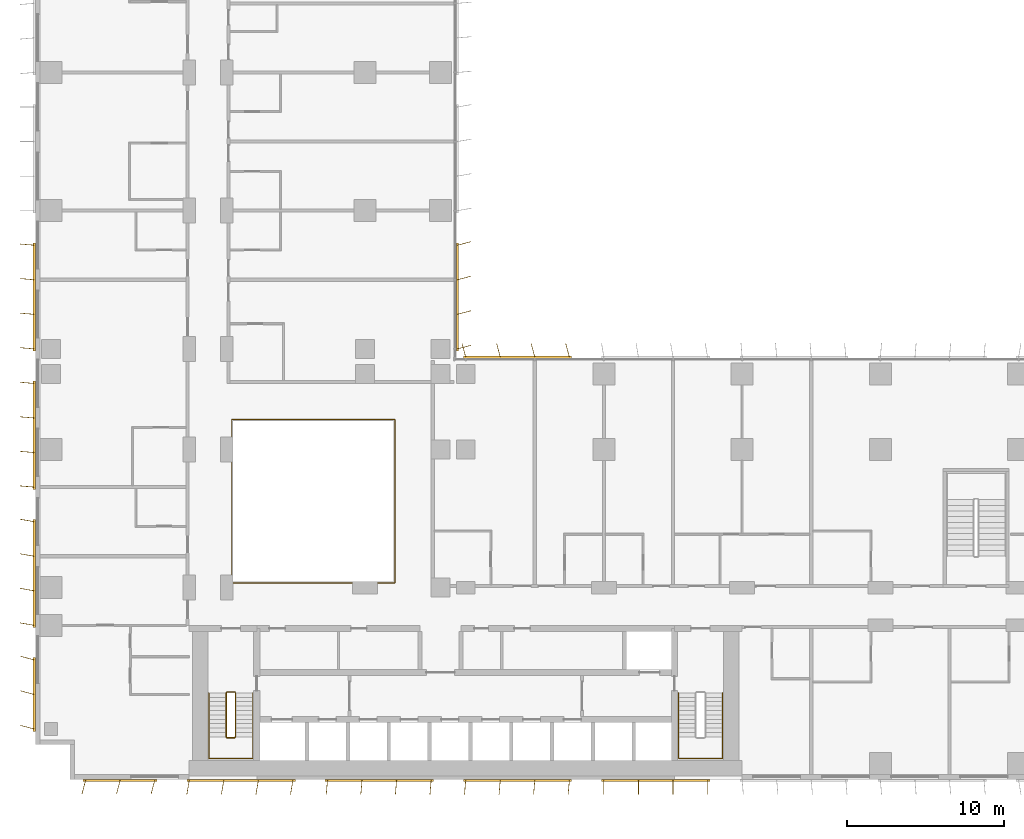
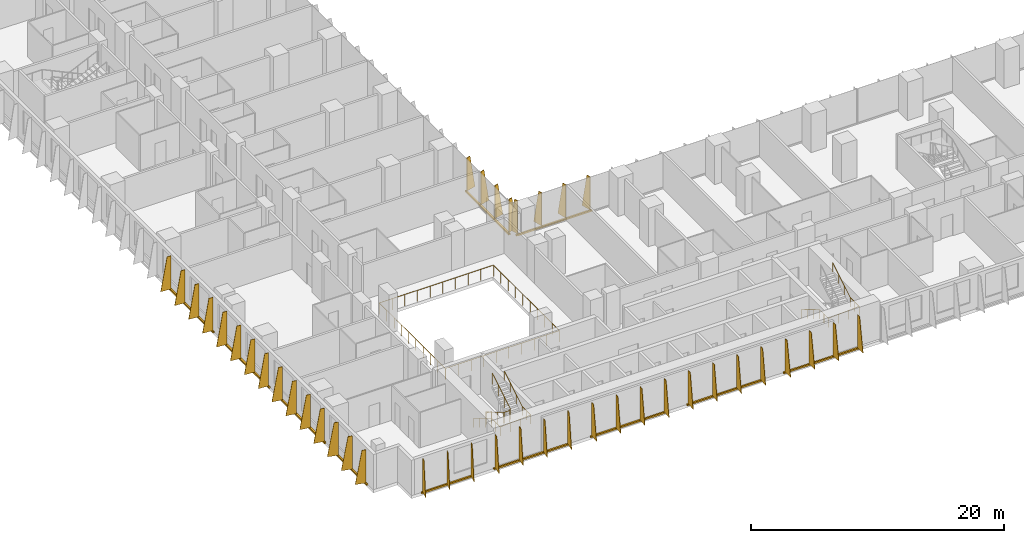
# One storey, part 21 of 24: 11 shading devices, 4 railings.
"""IFC4 building model written with IfcOpenShell, lengths in metres."""

from ifc_helpers import new_model, si_unit, direction, frame, origin, origin_2d, place, context, subcontext, project, spatial, polyline, rectangle, circle, outline, extrude, source, transform, mapped, material, layer, layer_set, type_object, element, save


model = new_model("IFC4")

# Units and contexts
model_context = context("Model", 3, precision=1e-05, world=origin(), true_north=direction((0.0, 1.0)))
body_context = subcontext(model_context, "Body", "Model", "MODEL_VIEW")
ifc_project = project(units=[si_unit("LENGTHUNIT", "METRE"), si_unit("AREAUNIT", "SQUARE_METRE"), si_unit("VOLUMEUNIT", "CUBIC_METRE"), si_unit("PLANEANGLEUNIT", "RADIAN"), si_unit("MASSUNIT", "GRAM", prefix="KILO")], contexts=[model_context])

# Site, building, storey
site_placement = place(None, origin())
site = spatial("IfcSite", under=ifc_project, at=site_placement, CompositionType="ELEMENT")
building_placement = place(site_placement, origin())
building = spatial("IfcBuilding", under=site, at=building_placement, Name="Kemantara Hotel Tower", CompositionType="ELEMENT")
storey_placement = place(building_placement, frame((0.0, 0.0, 56.199951171875)))
storey = spatial("IfcBuildingStorey", under=building, at=storey_placement, Name="L12", CompositionType="ELEMENT", Elevation=56.199951171875)

# Railings
ifc_material_1 = material(Name="Stainless steel and laminated glass balustrade", Category="steel")
railing_type_1 = type_object("IfcRailingType", Name="ATRIUM GUARD 1100", PredefinedType="GUARDRAIL", material=ifc_material_1)
railing_1_placement = place(storey_placement, frame((12.56005859375, 12.5, 0.0)))
element("IfcRailing", 1, at=railing_1_placement, inside=storey, type_object=railing_type_1, Name="ATRIUM GUARD L12", PredefinedType="GUARDRAIL", context=body_context, shape_type="SweptSolid", body=[
    extrude(circle(Radius=0.02490234375, at=origin_2d()), frame((0.0, 0.0, 1.0751953125), z_axis=(1.0, 0.0, 0.0), x_axis=(0.0, 1.0, 0.0)), (0.0, 0.0, 1.0), 10.33984375),
    extrude(circle(Radius=0.02490234375, at=origin_2d()), frame((10.33984375, 0.0, 1.0751953125), z_axis=(0.0, 1.0, 0.0), x_axis=(-1.0, 0.0, 0.0)), (0.0, 0.0, 1.0), 10.39990234375),
    extrude(circle(Radius=0.02490234375, at=origin_2d()), frame((10.33984375, 10.39990234375, 1.0751953125), z_axis=(-1.0, 0.0, 0.0), x_axis=(0.0, -1.0, 0.0)), (0.0, 0.0, 1.0), 10.39990234375),
    extrude(circle(Radius=0.02490234375, at=origin_2d()), frame((-0.06005859375, 10.39990234375, 1.0751953125), z_axis=(0.0, -1.0, 0.0), x_axis=(1.0, 0.0, 0.0)), (0.0, 0.0, 1.0), 10.39990234375),
    extrude(circle(Radius=0.02001953125, at=origin_2d()), origin(), (0.0, 0.0, 1.0), 1.050048828125),
    extrude(circle(Radius=0.02001953125, at=origin_2d()), frame((1.14892578125, 0.0, 0.0)), (0.0, 0.0, 1.0), 1.050048828125),
    extrude(circle(Radius=0.02001953125, at=origin_2d()), frame((2.2978515625, 0.0, 0.0)), (0.0, 0.0, 1.0), 1.050048828125),
    extrude(circle(Radius=0.02001953125, at=origin_2d()), frame((3.446533203125, 0.0, 0.0)), (0.0, 0.0, 1.0), 1.050048828125),
    extrude(circle(Radius=0.02001953125, at=origin_2d()), frame((4.595458984375, 0.0, 0.0)), (0.0, 0.0, 1.0), 1.050048828125),
    extrude(circle(Radius=0.02001953125, at=origin_2d()), frame((5.744384765625, 0.0, 0.0)), (0.0, 0.0, 1.0), 1.050048828125),
    extrude(circle(Radius=0.02001953125, at=origin_2d()), frame((6.893310546875, 0.0, 0.0)), (0.0, 0.0, 1.0), 1.050048828125),
    extrude(circle(Radius=0.02001953125, at=origin_2d()), frame((8.0419921875, 0.0, 0.0)), (0.0, 0.0, 1.0), 1.050048828125),
    extrude(circle(Radius=0.02001953125, at=origin_2d()), frame((9.19091796875, 0.0, 0.0)), (0.0, 0.0, 1.0), 1.050048828125),
    extrude(circle(Radius=0.02001953125, at=origin_2d()), frame((10.33984375, 0.0, 0.0)), (0.0, 0.0, 1.0), 1.050048828125),
    extrude(circle(Radius=0.02001953125, at=origin_2d()), frame((10.33984375, 1.155517578125, 0.0)), (0.0, 0.0, 1.0), 1.050048828125),
    extrude(circle(Radius=0.02001953125, at=origin_2d()), frame((10.33984375, 2.31103515625, 0.0)), (0.0, 0.0, 1.0), 1.050048828125),
    extrude(circle(Radius=0.02001953125, at=origin_2d()), frame((10.33984375, 3.466552734375, 0.0)), (0.0, 0.0, 1.0), 1.050048828125),
    extrude(circle(Radius=0.02001953125, at=origin_2d()), frame((10.33984375, 4.6220703125, 0.0)), (0.0, 0.0, 1.0), 1.050048828125),
    extrude(circle(Radius=0.02001953125, at=origin_2d()), frame((10.33984375, 5.77783203125, 0.0)), (0.0, 0.0, 1.0), 1.050048828125),
    extrude(circle(Radius=0.02001953125, at=origin_2d()), frame((10.33984375, 6.933349609375, 0.0)), (0.0, 0.0, 1.0), 1.050048828125),
    extrude(circle(Radius=0.02001953125, at=origin_2d()), frame((10.33984375, 8.0888671875, 0.0)), (0.0, 0.0, 1.0), 1.050048828125),
    extrude(circle(Radius=0.02001953125, at=origin_2d()), frame((10.33984375, 9.244384765625, 0.0)), (0.0, 0.0, 1.0), 1.050048828125),
    extrude(circle(Radius=0.02001953125, at=origin_2d()), frame((10.33984375, 10.39990234375, 0.0)), (0.0, 0.0, 1.0), 1.050048828125),
    extrude(circle(Radius=0.02001953125, at=origin_2d()), frame((9.184326171875, 10.39990234375, 0.0)), (0.0, 0.0, 1.0), 1.050048828125),
    extrude(circle(Radius=0.02001953125, at=origin_2d()), frame((8.02880859375, 10.39990234375, 0.0)), (0.0, 0.0, 1.0), 1.050048828125),
    extrude(circle(Radius=0.02001953125, at=origin_2d()), frame((6.873291015625, 10.39990234375, 0.0)), (0.0, 0.0, 1.0), 1.050048828125),
    extrude(circle(Radius=0.02001953125, at=origin_2d()), frame((5.7177734375, 10.39990234375, 0.0)), (0.0, 0.0, 1.0), 1.050048828125),
    extrude(circle(Radius=0.02001953125, at=origin_2d()), frame((4.56201171875, 10.39990234375, 0.0)), (0.0, 0.0, 1.0), 1.050048828125),
    extrude(circle(Radius=0.02001953125, at=origin_2d()), frame((3.406494140625, 10.39990234375, 0.0)), (0.0, 0.0, 1.0), 1.050048828125),
    extrude(circle(Radius=0.02001953125, at=origin_2d()), frame((2.2509765625, 10.39990234375, 0.0)), (0.0, 0.0, 1.0), 1.050048828125),
    extrude(circle(Radius=0.02001953125, at=origin_2d()), frame((1.095458984375, 10.39990234375, 0.0)), (0.0, 0.0, 1.0), 1.050048828125),
    extrude(circle(Radius=0.02001953125, at=origin_2d()), frame((-0.06005859375, 10.39990234375, 0.0)), (0.0, 0.0, 1.0), 1.050048828125),
    extrude(circle(Radius=0.02001953125, at=origin_2d()), frame((-0.06005859375, 9.244384765625, 0.0)), (0.0, 0.0, 1.0), 1.050048828125),
    extrude(circle(Radius=0.02001953125, at=origin_2d()), frame((-0.06005859375, 8.0888671875, 0.0)), (0.0, 0.0, 1.0), 1.050048828125),
    extrude(circle(Radius=0.02001953125, at=origin_2d()), frame((-0.06005859375, 6.933349609375, 0.0)), (0.0, 0.0, 1.0), 1.050048828125),
    extrude(circle(Radius=0.02001953125, at=origin_2d()), frame((-0.06005859375, 5.77783203125, 0.0)), (0.0, 0.0, 1.0), 1.050048828125),
    extrude(circle(Radius=0.02001953125, at=origin_2d()), frame((-0.06005859375, 4.6220703125, 0.0)), (0.0, 0.0, 1.0), 1.050048828125),
    extrude(circle(Radius=0.02001953125, at=origin_2d()), frame((-0.06005859375, 3.466552734375, 0.0)), (0.0, 0.0, 1.0), 1.050048828125),
    extrude(circle(Radius=0.02001953125, at=origin_2d()), frame((-0.06005859375, 2.31103515625, 0.0)), (0.0, 0.0, 1.0), 1.050048828125),
    extrude(circle(Radius=0.02001953125, at=origin_2d()), frame((-0.06005859375, 1.155517578125, 0.0)), (0.0, 0.0, 1.0), 1.050048828125),
    extrude(circle(Radius=0.02001953125, at=origin_2d()), frame((-0.06005859375, 0.0, 0.0)), (0.0, 0.0, 1.0), 1.050048828125),
])
ifc_material_2 = material(Name="Stainless steel balustrade", Category="steel")
railing_type_2 = type_object("IfcRailingType", Name="Stair guard 1100 mm", PredefinedType="GUARDRAIL", material=ifc_material_2)
railing_2_placement = place(storey_placement, frame((12.75, 5.5, 3.699951171875)))
element("IfcRailing", 2, at=railing_2_placement, inside=storey, type_object=railing_type_2, Name="L12 ST1 stair guard 1", PredefinedType="GUARDRAIL", context=body_context, shape_type="SweptSolid", body=[
    extrude(circle(Radius=0.02392578125, at=origin_2d()), frame((0.0, 0.0, 1.076171875), z_axis=(0.0, -0.857275202839, -0.514858452973), x_axis=(1.0, 0.0, 0.0)), (0.0, 0.0, 1.0), 3.26611328125),
    extrude(circle(Radius=0.02392578125, at=origin_2d()), frame((0.0, -2.800048828125, -0.60546875), z_axis=(-0.274243871929, -0.274243871929, -0.92172696468), x_axis=(0.707106781187, -0.707106781187, 0.0)), (0.0, 0.0, 1.0), 0.1826171875),
    extrude(circle(Radius=0.02392578125, at=origin_2d()), frame((-0.050048828125, -2.85009765625, -0.77392578125), z_axis=(-1.0, 0.0, 0.0), x_axis=(0.0, -1.0, 0.0)), (0.0, 0.0, 1.0), 0.5),
    extrude(circle(Radius=0.02392578125, at=origin_2d()), frame((-0.550048828125, -2.85009765625, -0.77392578125), z_axis=(-0.707106781187, 0.707106781187, 0.0), x_axis=(-0.707106781187, -0.707106781187, 0.0)), (0.0, 0.0, 1.0), 0.07080078125),
    extrude(circle(Radius=0.02392578125, at=origin_2d()), frame((-0.60009765625, -2.800048828125, -0.77392578125), z_axis=(0.0, 0.857242210791, -0.514913383045), x_axis=(-1.0, 0.0, 0.0)), (0.0, 0.0, 1.0), 3.266357421875),
    extrude(circle(Radius=0.02392578125, at=origin_2d()), frame((-0.60009765625, 0.0, -2.45556640625), z_axis=(0.274243871929, 0.274243871929, -0.92172696468), x_axis=(-0.707106781187, 0.707106781187, 0.0)), (0.0, 0.0, 1.0), 0.1826171875),
    extrude(circle(Radius=0.02392578125, at=origin_2d()), frame((-0.550048828125, 0.050048828125, -2.6240234375), z_axis=(1.0, 0.0, 0.0), x_axis=(0.0, 1.0, 0.0)), (0.0, 0.0, 1.0), 0.5),
    extrude(circle(Radius=0.02099609375, at=origin_2d()), origin(), (0.0, 0.0, 1.0), 1.052001953125),
    extrude(circle(Radius=0.02099609375, at=origin_2d()), frame((0.0, -0.933349609375, -0.560546875)), (0.0, 0.0, 1.0), 1.052001953125),
    extrude(circle(Radius=0.02099609375, at=origin_2d()), frame((0.0, -1.86669921875, -1.12109375)), (0.0, 0.0, 1.0), 1.052001953125),
    extrude(circle(Radius=0.02099609375, at=origin_2d()), frame((0.0, -2.800048828125, -1.681640625)), (0.0, 0.0, 1.0), 1.052001953125),
    extrude(circle(Radius=0.02099609375, at=origin_2d()), frame((-0.050048828125, -2.85009765625, -1.849853515625)), (0.0, 0.0, 1.0), 1.052001953125),
    extrude(circle(Radius=0.02099609375, at=origin_2d()), frame((-0.550048828125, -2.85009765625, -1.849853515625)), (0.0, 0.0, 1.0), 1.052001953125),
    extrude(circle(Radius=0.02099609375, at=origin_2d()), frame((-0.60009765625, -2.800048828125, -1.849853515625)), (0.0, 0.0, 1.0), 1.052001953125),
    extrude(circle(Radius=0.02099609375, at=origin_2d()), frame((-0.60009765625, -1.86669921875, -2.410400390625)), (0.0, 0.0, 1.0), 1.052001953125),
    extrude(circle(Radius=0.02099609375, at=origin_2d()), frame((-0.60009765625, -0.933349609375, -2.97119140625)), (0.0, 0.0, 1.0), 1.052001953125),
    extrude(circle(Radius=0.02099609375, at=origin_2d()), frame((-0.60009765625, 0.0, -3.53173828125)), (0.0, 0.0, 1.0), 1.052001953125),
    extrude(circle(Radius=0.02099609375, at=origin_2d()), frame((-0.550048828125, 0.050048828125, -3.699951171875)), (0.0, 0.0, 1.0), 1.052001953125),
    extrude(circle(Radius=0.02099609375, at=origin_2d()), frame((-0.050048828125, 0.050048828125, -3.699951171875)), (0.0, 0.0, 1.0), 1.052001953125),
])
railing_type_3 = type_object("IfcRailingType", Name="Stair handrail 900 mm", PredefinedType="HANDRAIL", material=ifc_material_2)
railing_3_placement = place(storey_placement, frame((11.050048828125, 5.5, 0.168212890625)))
element("IfcRailing", 3, at=railing_3_placement, inside=storey, type_object=railing_type_3, Name="L12 ST1 stair handrail 1", PredefinedType="HANDRAIL", context=body_context, shape_type="SweptSolid", body=[
    extrude(circle(Radius=0.02392578125, at=origin_2d()), frame((0.0, 0.0, 0.8759765625), z_axis=(0.0, -0.857242210791, 0.514913383045), x_axis=(1.0, 0.0, 0.0)), (0.0, 0.0, 1.0), 3.266357421875),
    extrude(circle(Radius=0.02392578125, at=origin_2d()), frame((0.0, -2.800048828125, 2.5576171875), z_axis=(0.0, -1.0, 0.0), x_axis=(1.0, 0.0, 0.0)), (0.0, 0.0, 1.0), 1.3798828125),
    extrude(circle(Radius=0.02392578125, at=origin_2d()), frame((0.0, -4.179931640625, 2.5576171875), z_axis=(0.998200367801, 0.0, 0.059966871865), x_axis=(0.0, 1.0, 0.0)), (0.0, 0.0, 1.0), 2.80517578125),
    extrude(circle(Radius=0.02392578125, at=origin_2d()), frame((2.800048828125, -4.179931640625, 2.72607421875), z_axis=(0.0, 1.0, 0.0), x_axis=(-1.0, 0.0, 0.0)), (0.0, 0.0, 1.0), 1.3798828125),
    extrude(circle(Radius=0.02392578125, at=origin_2d()), frame((2.800048828125, -2.800048828125, 2.72607421875), z_axis=(0.0, 0.857275202839, 0.514858452973), x_axis=(-1.0, 0.0, 0.0)), (0.0, 0.0, 1.0), 3.26611328125),
    extrude(circle(Radius=0.02099609375, at=origin_2d()), origin(), (0.0, 0.0, 1.0), 0.851806640625),
    extrude(circle(Radius=0.02099609375, at=origin_2d()), frame((0.0, -0.933349609375, 0.560546875)), (0.0, 0.0, 1.0), 0.851806640625),
    extrude(circle(Radius=0.02099609375, at=origin_2d()), frame((0.0, -1.86669921875, 1.121337890625)), (0.0, 0.0, 1.0), 0.851806640625),
    extrude(circle(Radius=0.02099609375, at=origin_2d()), frame((0.0, -2.800048828125, 1.681884765625)), (0.0, 0.0, 1.0), 0.851806640625),
    extrude(circle(Radius=0.02099609375, at=origin_2d()), frame((0.0, -3.489990234375, 1.681884765625)), (0.0, 0.0, 1.0), 0.851806640625),
    extrude(circle(Radius=0.02099609375, at=origin_2d()), frame((0.0, -4.179931640625, 1.681884765625)), (0.0, 0.0, 1.0), 0.851806640625),
    extrude(circle(Radius=0.02099609375, at=origin_2d()), frame((0.933349609375, -4.179931640625, 1.738037109375)), (0.0, 0.0, 1.0), 0.851806640625),
    extrude(circle(Radius=0.02099609375, at=origin_2d()), frame((1.86669921875, -4.179931640625, 1.7939453125)), (0.0, 0.0, 1.0), 0.851806640625),
    extrude(circle(Radius=0.02099609375, at=origin_2d()), frame((2.800048828125, -4.179931640625, 1.85009765625)), (0.0, 0.0, 1.0), 0.851806640625),
    extrude(circle(Radius=0.02099609375, at=origin_2d()), frame((2.800048828125, -3.489990234375, 1.85009765625)), (0.0, 0.0, 1.0), 0.851806640625),
    extrude(circle(Radius=0.02099609375, at=origin_2d()), frame((2.800048828125, -2.800048828125, 1.85009765625)), (0.0, 0.0, 1.0), 0.851806640625),
    extrude(circle(Radius=0.02099609375, at=origin_2d()), frame((2.800048828125, -1.86669921875, 2.41064453125)), (0.0, 0.0, 1.0), 0.851806640625),
    extrude(circle(Radius=0.02099609375, at=origin_2d()), frame((2.800048828125, -0.933349609375, 2.97119140625)), (0.0, 0.0, 1.0), 0.851806640625),
    extrude(circle(Radius=0.02099609375, at=origin_2d()), frame((2.800048828125, 0.0, 3.53173828125)), (0.0, 0.0, 1.0), 0.851806640625),
])
railing_4_placement = place(storey_placement, frame((40.949951171875, 5.5, 0.168212890625)))
element("IfcRailing", 4, at=railing_4_placement, inside=storey, type_object=railing_type_3, Name="L12 ST2 stair handrail 1", PredefinedType="HANDRAIL", context=body_context, shape_type="SweptSolid", body=[
    extrude(circle(Radius=0.02392578125, at=origin_2d()), frame((0.0, 0.0, 0.8759765625), z_axis=(0.0, -0.857242210791, 0.514913383045), x_axis=(1.0, 0.0, 0.0)), (0.0, 0.0, 1.0), 3.266357421875),
    extrude(circle(Radius=0.02392578125, at=origin_2d()), frame((0.0, -2.800048828125, 2.5576171875), z_axis=(0.0, -1.0, 0.0), x_axis=(1.0, 0.0, 0.0)), (0.0, 0.0, 1.0), 1.3798828125),
    extrude(circle(Radius=0.02392578125, at=origin_2d()), frame((0.0, -4.179931640625, 2.5576171875), z_axis=(0.998200367801, 0.0, 0.059966871865), x_axis=(0.0, 1.0, 0.0)), (0.0, 0.0, 1.0), 2.80517578125),
    extrude(circle(Radius=0.02392578125, at=origin_2d()), frame((2.800048828125, -4.179931640625, 2.72607421875), z_axis=(0.0, 1.0, 0.0), x_axis=(-1.0, 0.0, 0.0)), (0.0, 0.0, 1.0), 1.3798828125),
    extrude(circle(Radius=0.02392578125, at=origin_2d()), frame((2.800048828125, -2.800048828125, 2.72607421875), z_axis=(0.0, 0.857275202839, 0.514858452973), x_axis=(-1.0, 0.0, 0.0)), (0.0, 0.0, 1.0), 3.26611328125),
    extrude(circle(Radius=0.02099609375, at=origin_2d()), origin(), (0.0, 0.0, 1.0), 0.851806640625),
    extrude(circle(Radius=0.02099609375, at=origin_2d()), frame((0.0, -0.933349609375, 0.560546875)), (0.0, 0.0, 1.0), 0.851806640625),
    extrude(circle(Radius=0.02099609375, at=origin_2d()), frame((0.0, -1.86669921875, 1.121337890625)), (0.0, 0.0, 1.0), 0.851806640625),
    extrude(circle(Radius=0.02099609375, at=origin_2d()), frame((0.0, -2.800048828125, 1.681884765625)), (0.0, 0.0, 1.0), 0.851806640625),
    extrude(circle(Radius=0.02099609375, at=origin_2d()), frame((0.0, -3.489990234375, 1.681884765625)), (0.0, 0.0, 1.0), 0.851806640625),
    extrude(circle(Radius=0.02099609375, at=origin_2d()), frame((0.0, -4.179931640625, 1.681884765625)), (0.0, 0.0, 1.0), 0.851806640625),
    extrude(circle(Radius=0.02099609375, at=origin_2d()), frame((0.933349609375, -4.179931640625, 1.738037109375)), (0.0, 0.0, 1.0), 0.851806640625),
    extrude(circle(Radius=0.02099609375, at=origin_2d()), frame((1.86669921875, -4.179931640625, 1.7939453125)), (0.0, 0.0, 1.0), 0.851806640625),
    extrude(circle(Radius=0.02099609375, at=origin_2d()), frame((2.800048828125, -4.179931640625, 1.85009765625)), (0.0, 0.0, 1.0), 0.851806640625),
    extrude(circle(Radius=0.02099609375, at=origin_2d()), frame((2.800048828125, -3.489990234375, 1.85009765625)), (0.0, 0.0, 1.0), 0.851806640625),
    extrude(circle(Radius=0.02099609375, at=origin_2d()), frame((2.800048828125, -2.800048828125, 1.85009765625)), (0.0, 0.0, 1.0), 0.851806640625),
    extrude(circle(Radius=0.02099609375, at=origin_2d()), frame((2.800048828125, -1.86669921875, 2.41064453125)), (0.0, 0.0, 1.0), 0.851806640625),
    extrude(circle(Radius=0.02099609375, at=origin_2d()), frame((2.800048828125, -0.933349609375, 2.97119140625)), (0.0, 0.0, 1.0), 0.851806640625),
    extrude(circle(Radius=0.02099609375, at=origin_2d()), frame((2.800048828125, 0.0, 3.53173828125)), (0.0, 0.0, 1.0), 0.851806640625),
])

# Shading devices
ifc_material_3 = material(Name="Perforated aluminium plate 4 mm bronze anodised", Category="aluminium")
ifc_layer_1 = layer(ifc_material_3, 0.0400390625)
ifc_layer_set_1 = layer_set([ifc_layer_1], Name="Perforated aluminium plate 4 mm bronze anodised")
shading_device_type_1 = type_object("IfcShadingDeviceType", Name="SCREEN FIN CASSETTE, 3 BLADES AT -15.0 DEG, 3200 HIGH", PredefinedType="USERDEFINED", material=ifc_layer_set_1)
shared_shape_1 = source(origin(), body_context, "Body", "SweptSolid", [
    extrude(rectangle(XDim=4.699951171875, YDim=0.14990234375, at=origin_2d()), frame((2.199951171875, -0.074951171875, -0.14990234375), z_axis=(0.0, 0.0, 1.0), x_axis=(1.0, 0.0, 0.0)), (0.0, 0.0, 1.0), 0.14990234375),
    extrude(outline(polyline([(0.0, 0.0), (0.89990234375, 0.0), (0.35009765625, 3.199951171875), (0.0, 3.199951171875), (0.0, 0.0)])), frame((0.019287109375, -0.080078125, 0.0), z_axis=(-0.966437683387, 0.256901156343, 0.0), x_axis=(-0.256901156343, -0.966437683387, 0.0)), (0.0, 0.0, 1.0), 0.039794921875),
    extrude(outline(polyline([(0.0, 0.0), (0.89990234375, 0.0), (0.35009765625, 3.199951171875), (0.0, 3.199951171875), (0.0, 0.0)])), frame((2.21923828125, -0.080078125, 0.0), z_axis=(-0.966437683387, 0.256901156343, 0.0), x_axis=(-0.256901156343, -0.966437683387, 0.0)), (0.0, 0.0, 1.0), 0.039794921875),
    extrude(outline(polyline([(0.0, 0.0), (0.89990234375, 0.0), (0.35009765625, 3.199951171875), (0.0, 3.199951171875), (0.0, 0.0)])), frame((4.41943359375, -0.080078125, 0.0), z_axis=(-0.966837822169, 0.255391122837, 0.0), x_axis=(-0.255391122837, -0.966837822169, 0.0)), (0.0, 0.0, 1.0), 0.0400390625),
])
for number, where, z_axis, x_axis, name in (
    (5, (3.199951171875, 0.0, 0.10009765625), (0.0, 0.0, 1.0), (1.0, 0.0, 0.0), "SCREEN FIN CASSETTE L12 T1-R01-1"),
    (6, (0.0, 7.60009765625, 0.10009765625), (0.0, 0.0, 1.0), (0.0, -1.0, 0.0), "SCREEN FIN CASSETTE L12 T1-R14-9"),
):
    element("IfcShadingDevice", number, at=place(storey_placement, frame(where, z_axis=z_axis, x_axis=x_axis)), inside=storey, type_object=shading_device_type_1, Name=name, ObjectType="SCREEN FIN", PredefinedType="USERDEFINED", context=body_context, shape_type="MappedRepresentation", body=[
        mapped(shared_shape_1, transform((0.0, 0.0, 0.0))),
    ])
ifc_layer_2 = layer(ifc_material_3, 0.0400390625)
ifc_layer_set_2 = layer_set([ifc_layer_2], Name="Perforated aluminium plate 4 mm bronze anodised")
shading_device_type_2 = type_object("IfcShadingDeviceType", Name="SCREEN FIN CASSETTE, 4 BLADES AT -10.0 DEG, 3200 HIGH", PredefinedType="USERDEFINED", material=ifc_layer_set_2)
shared_shape_2 = source(origin(), body_context, "Body", "SweptSolid", [
    extrude(rectangle(XDim=6.89990234375, YDim=0.14990234375, at=origin_2d()), frame((3.300048828125, -0.074951171875, -0.14990234375), z_axis=(0.0, 0.0, 1.0), x_axis=(1.0, 0.0, 0.0)), (0.0, 0.0, 1.0), 0.14990234375),
    extrude(outline(polyline([(0.0, 0.0), (0.89990234375, 0.0), (0.35009765625, 3.199951171875), (0.0, 3.199951171875), (0.0, 0.0)])), frame((0.019775390625, -0.078369140625, 0.0), z_axis=(-0.985389793052, 0.170314285219, 0.0), x_axis=(-0.170314285219, -0.985389793052, 0.0)), (0.0, 0.0, 1.0), 0.0400390625),
    extrude(outline(polyline([(0.0, 0.0), (0.89990234375, 0.0), (0.35009765625, 3.199951171875), (0.0, 3.199951171875), (0.0, 0.0)])), frame((2.2197265625, -0.078369140625, 0.0), z_axis=(-0.98521175482, 0.171341174751, 0.0), x_axis=(-0.171341174751, -0.98521175482, 0.0)), (0.0, 0.0, 1.0), 0.039794921875),
    extrude(outline(polyline([(0.0, 0.0), (0.89990234375, 0.0), (0.35009765625, 3.199951171875), (0.0, 3.199951171875), (0.0, 0.0)])), frame((4.419677734375, -0.078369140625, 0.0), z_axis=(-0.98521175482, 0.171341174751, 0.0), x_axis=(-0.171341174751, -0.98521175482, 0.0)), (0.0, 0.0, 1.0), 0.039794921875),
    extrude(outline(polyline([(0.0, 0.0), (0.89990234375, 0.0), (0.35009765625, 3.199951171875), (0.0, 3.199951171875), (0.0, 0.0)])), frame((6.61962890625, -0.078369140625, 0.0), z_axis=(-0.98521175482, 0.171341174751, 0.0), x_axis=(-0.171341174751, -0.98521175482, 0.0)), (0.0, 0.0, 1.0), 0.039794921875),
])
for number, where, z_axis, x_axis, name in (
    (7, (9.800048828125, 0.0, 0.10009765625), (0.0, 0.0, 1.0), (1.0, 0.0, 0.0), "SCREEN FIN CASSETTE L12 T1-R01-2"),
    (8, (0.0, 16.39990234375, 0.10009765625), (0.0, 0.0, 1.0), (0.0, -1.0, 0.0), "SCREEN FIN CASSETTE L12 T1-R14-8"),
):
    element("IfcShadingDevice", number, at=place(storey_placement, frame(where, z_axis=z_axis, x_axis=x_axis)), inside=storey, type_object=shading_device_type_2, Name=name, ObjectType="SCREEN FIN", PredefinedType="USERDEFINED", context=body_context, shape_type="MappedRepresentation", body=[
        mapped(shared_shape_2, transform((0.0, 0.0, 0.0))),
    ])
ifc_layer_3 = layer(ifc_material_3, 0.0400390625)
ifc_layer_set_3 = layer_set([ifc_layer_3], Name="Perforated aluminium plate 4 mm bronze anodised")
shading_device_type_3 = type_object("IfcShadingDeviceType", Name="SCREEN FIN CASSETTE, 4 BLADES AT -5.0 DEG, 3200 HIGH", PredefinedType="USERDEFINED", material=ifc_layer_set_3)
shared_shape_3 = source(origin(), body_context, "Body", "SweptSolid", [
    extrude(rectangle(XDim=6.89990234375, YDim=0.14990234375, at=origin_2d()), frame((3.300048828125, -0.074951171875, -0.14990234375), z_axis=(0.0, 0.0, 1.0), x_axis=(1.0, 0.0, 0.0)), (0.0, 0.0, 1.0), 0.14990234375),
    extrude(outline(polyline([(0.0, 0.0), (0.89990234375, 0.0), (0.35009765625, 3.199951171875), (0.0, 3.199951171875), (0.0, 0.0)])), frame((0.02001953125, -0.07666015625, 0.0), z_axis=(-0.996376129781, 0.085056498884, 0.0), x_axis=(-0.085056498884, -0.996376129781, 0.0)), (0.0, 0.0, 1.0), 0.040283203125),
    extrude(outline(polyline([(0.0, 0.0), (0.89990234375, 0.0), (0.35009765625, 3.199951171875), (0.0, 3.199951171875), (0.0, 0.0)])), frame((2.219970703125, -0.07666015625, 0.0), z_axis=(-0.996331773833, 0.085574508182, 0.0), x_axis=(-0.085574508182, -0.996331773833, 0.0)), (0.0, 0.0, 1.0), 0.0400390625),
    extrude(outline(polyline([(0.0, 0.0), (0.89990234375, 0.0), (0.35009765625, 3.199951171875), (0.0, 3.199951171875), (0.0, 0.0)])), frame((4.419921875, -0.07666015625, 0.0), z_axis=(-0.996331773833, 0.085574508182, 0.0), x_axis=(-0.085574508182, -0.996331773833, 0.0)), (0.0, 0.0, 1.0), 0.0400390625),
    extrude(outline(polyline([(0.0, 0.0), (0.89990234375, 0.0), (0.35009765625, 3.199951171875), (0.0, 3.199951171875), (0.0, 0.0)])), frame((6.619873046875, -0.07666015625, 0.0), z_axis=(-0.996331773833, 0.085574508182, 0.0), x_axis=(-0.085574508182, -0.996331773833, 0.0)), (0.0, 0.0, 1.0), 0.0400390625),
])
for number, where, z_axis, x_axis, name in (
    (9, (18.60009765625, 0.0, 0.10009765625), (0.0, 0.0, 1.0), (1.0, 0.0, 0.0), "SCREEN FIN CASSETTE L12 T1-R01-3"),
    (10, (27.39990234375, 0.0, 0.10009765625), (0.0, 0.0, 1.0), (1.0, 0.0, 0.0), "SCREEN FIN CASSETTE L12 T1-R01-4"),
    (11, (0.0, 34.0, 0.10009765625), (0.0, 0.0, 1.0), (0.0, -1.0, 0.0), "SCREEN FIN CASSETTE L12 T1-R14-6"),
    (12, (0.0, 25.199951171875, 0.10009765625), (0.0, 0.0, 1.0), (0.0, -1.0, 0.0), "SCREEN FIN CASSETTE L12 T1-R14-7"),
):
    element("IfcShadingDevice", number, at=place(storey_placement, frame(where, z_axis=z_axis, x_axis=x_axis)), inside=storey, type_object=shading_device_type_3, Name=name, ObjectType="SCREEN FIN", PredefinedType="USERDEFINED", context=body_context, shape_type="MappedRepresentation", body=[
        mapped(shared_shape_3, transform((0.0, 0.0, 0.0))),
    ])
ifc_layer_4 = layer(ifc_material_3, 0.0400390625)
ifc_layer_set_4 = layer_set([ifc_layer_4], Name="Perforated aluminium plate 4 mm bronze anodised")
shading_device_type_4 = type_object("IfcShadingDeviceType", Name="SCREEN FIN CASSETTE, 4 BLADES AT +0.0 DEG, 3200 HIGH", PredefinedType="USERDEFINED", material=ifc_layer_set_4)
shared_shape_4 = source(origin(), body_context, "Body", "SweptSolid", [
    extrude(rectangle(XDim=6.89990234375, YDim=0.14990234375, at=origin_2d()), frame((3.300048828125, -0.074951171875, -0.14990234375), z_axis=(0.0, 0.0, 1.0), x_axis=(1.0, 0.0, 0.0)), (0.0, 0.0, 1.0), 0.14990234375),
    extrude(outline(polyline([(0.0, 0.0), (0.89990234375, 0.0), (0.35009765625, 3.199951171875), (0.0, 3.199951171875), (0.0, 0.0)])), frame((0.02001953125, -0.074951171875, 0.0), z_axis=(-1.0, 0.0, 0.0), x_axis=(0.0, -1.0, 0.0)), (0.0, 0.0, 1.0), 0.0400390625),
    extrude(outline(polyline([(0.0, 0.0), (0.89990234375, 0.0), (0.35009765625, 3.199951171875), (0.0, 3.199951171875), (0.0, 0.0)])), frame((2.219970703125, -0.074951171875, 0.0), z_axis=(-1.0, 0.0, 0.0), x_axis=(0.0, -1.0, 0.0)), (0.0, 0.0, 1.0), 0.0400390625),
    extrude(outline(polyline([(0.0, 0.0), (0.89990234375, 0.0), (0.35009765625, 3.199951171875), (0.0, 3.199951171875), (0.0, 0.0)])), frame((4.419921875, -0.074951171875, 0.0), z_axis=(-1.0, 0.0, 0.0), x_axis=(0.0, -1.0, 0.0)), (0.0, 0.0, 1.0), 0.0400390625),
    extrude(outline(polyline([(0.0, 0.0), (0.89990234375, 0.0), (0.35009765625, 3.199951171875), (0.0, 3.199951171875), (0.0, 0.0)])), frame((6.6201171875, -0.074951171875, 0.0), z_axis=(-1.0, 0.0, 0.0), x_axis=(0.0, -1.0, 0.0)), (0.0, 0.0, 1.0), 0.0400390625),
])
shading_device_placement = place(storey_placement, frame((36.199951171875, 0.0, 0.10009765625), z_axis=(0.0, 0.0, 1.0), x_axis=(1.0, 0.0, 0.0)))
element("IfcShadingDevice", 13, at=shading_device_placement, inside=storey, type_object=shading_device_type_4, Name="SCREEN FIN CASSETTE L12 T1-R01-5", ObjectType="SCREEN FIN", PredefinedType="USERDEFINED", context=body_context, shape_type="MappedRepresentation", body=[
    mapped(shared_shape_4, transform((0.0, 0.0, 0.0))),
])
ifc_layer_5 = layer(ifc_material_3, 0.0400390625)
ifc_layer_set_5 = layer_set([ifc_layer_5], Name="Perforated aluminium plate 4 mm bronze anodised")
shading_device_type_5 = type_object("IfcShadingDeviceType", Name="SCREEN FIN CASSETTE, 4 BLADES AT +15.0 DEG, 3200 HIGH", PredefinedType="USERDEFINED", material=ifc_layer_set_5)
shared_shape_5 = source(origin(), body_context, "Body", "SweptSolid", [
    extrude(rectangle(XDim=6.89990234375, YDim=0.14990234375, at=origin_2d()), frame((3.300048828125, -0.074951171875, -0.14990234375), z_axis=(0.0, 0.0, 1.0), x_axis=(1.0, 0.0, 0.0)), (0.0, 0.0, 1.0), 0.14990234375),
    extrude(outline(polyline([(0.0, 0.0), (0.89990234375, 0.0), (0.35009765625, 3.199951171875), (0.0, 3.199951171875), (0.0, 0.0)])), frame((0.019287109375, -0.06982421875, 0.0), z_axis=(-0.966437683387, -0.256901156343, 0.0), x_axis=(0.256901156343, -0.966437683387, 0.0)), (0.0, 0.0, 1.0), 0.039794921875),
    extrude(outline(polyline([(0.0, 0.0), (0.89990234375, 0.0), (0.35009765625, 3.199951171875), (0.0, 3.199951171875), (0.0, 0.0)])), frame((2.21923828125, -0.06982421875, 0.0), z_axis=(-0.966437683387, -0.256901156343, 0.0), x_axis=(0.256901156343, -0.966437683387, 0.0)), (0.0, 0.0, 1.0), 0.039794921875),
    extrude(outline(polyline([(0.0, 0.0), (0.89990234375, 0.0), (0.35009765625, 3.199951171875), (0.0, 3.199951171875), (0.0, 0.0)])), frame((4.41943359375, -0.06982421875, 0.0), z_axis=(-0.966837822169, -0.255391122837, 0.0), x_axis=(0.255391122837, -0.966837822169, 0.0)), (0.0, 0.0, 1.0), 0.0400390625),
    extrude(outline(polyline([(0.0, 0.0), (0.89990234375, 0.0), (0.35009765625, 3.199951171875), (0.0, 3.199951171875), (0.0, 0.0)])), frame((6.619384765625, -0.06982421875, 0.0), z_axis=(-0.966837822169, -0.255391122837, 0.0), x_axis=(0.255391122837, -0.966837822169, 0.0)), (0.0, 0.0, 1.0), 0.0400390625),
])
for number, where, z_axis, x_axis, name in (
    (14, (34.0, 26.800048828125, 0.10009765625), (0.0, 0.0, 1.0), (-1.0, 0.0, 0.0), "SCREEN FIN CASSETTE L12 T1-R07-6"),
    (15, (26.800048828125, 27.39990234375, 0.10009765625), (0.0, 0.0, 1.0), (0.0, 1.0, 0.0), "SCREEN FIN CASSETTE L12 T1-R08-1"),
):
    element("IfcShadingDevice", number, at=place(storey_placement, frame(where, z_axis=z_axis, x_axis=x_axis)), inside=storey, type_object=shading_device_type_5, Name=name, ObjectType="SCREEN FIN", PredefinedType="USERDEFINED", context=body_context, shape_type="MappedRepresentation", body=[
        mapped(shared_shape_5, transform((0.0, 0.0, 0.0))),
    ])

save(model, "model.ifc")
